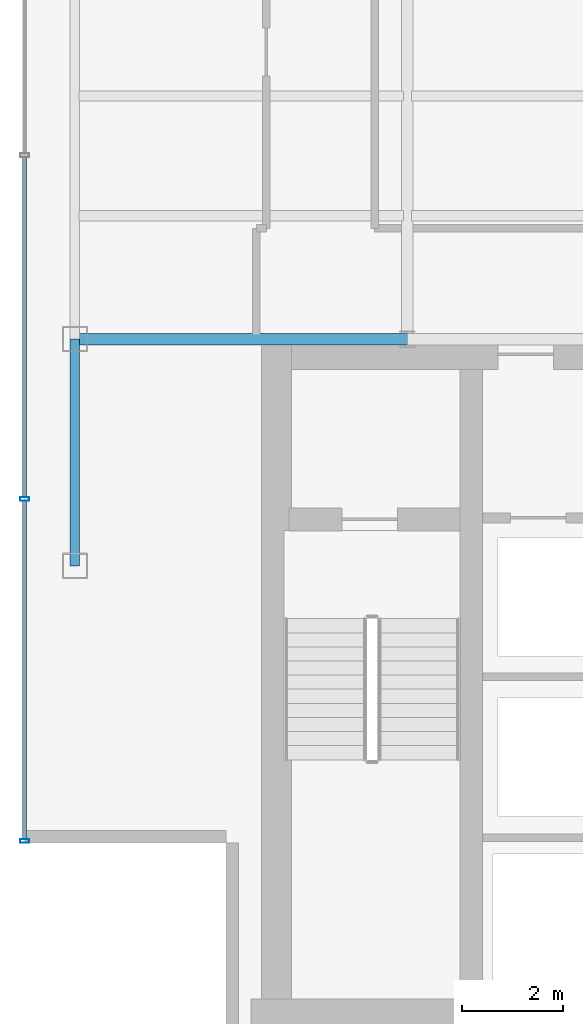
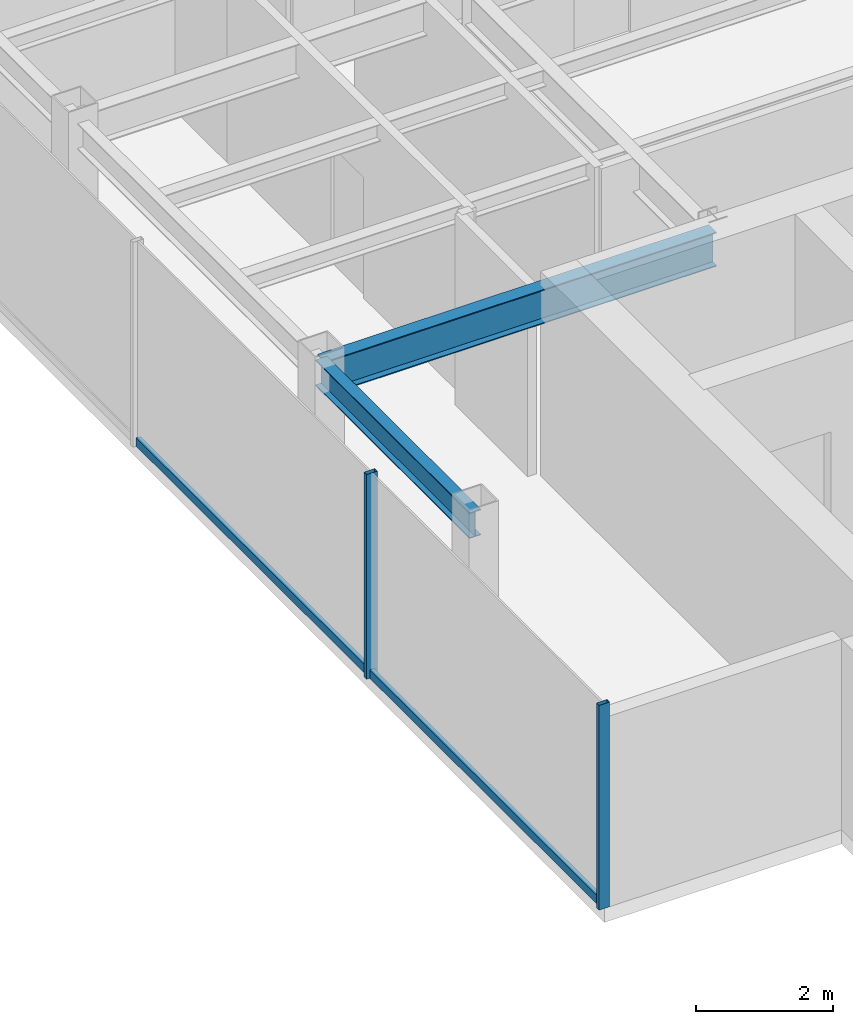
# One storey, part 3 of 22: 4 members, 2 beams, 1 element without a shape of its own.
"""IFC4 building model written with IfcOpenShell, lengths in metres."""

from ifc_helpers import new_model, si_unit, derived_unit, direction, frame, origin, origin_2d, place, context, subcontext, project, spatial, hollow_rectangle, i_section, extrude, source, transform, mapped, material, material_profile, profile_set, type_object, element, aggregate, save


model = new_model("IFC4")

# Units and contexts
model_context = context("Model", 3, precision=1e-05, world=origin(), true_north=direction((0.0, 1.0)))
body_context = subcontext(model_context, "Body", "Model", "MODEL_VIEW")
ifc_project = project(units=[si_unit("LENGTHUNIT", "METRE"), si_unit("AREAUNIT", "SQUARE_METRE"), si_unit("VOLUMEUNIT", "CUBIC_METRE"), si_unit("PLANEANGLEUNIT", "RADIAN"), si_unit("MASSUNIT", "GRAM", prefix="KILO"), derived_unit("THERMALTRANSMITTANCEUNIT", [(si_unit("POWERUNIT", "WATT"), 1), (si_unit("LENGTHUNIT", "METRE"), -2), (si_unit("THERMODYNAMICTEMPERATUREUNIT", "KELVIN"), -1)])], contexts=[model_context])

# Site, building, storey
site_placement = place(None, origin())
site = spatial("IfcSite", under=ifc_project, at=site_placement, CompositionType="ELEMENT")
building_placement = place(site_placement, origin())
building = spatial("IfcBuilding", under=site, at=building_placement, Name="Skarnbrae Concourse Arena and Tower", CompositionType="ELEMENT")
storey_placement = place(building_placement, frame((0.0, 0.0, 273.39990234375)))
storey = spatial("IfcBuildingStorey", under=building, at=storey_placement, Name="L71", CompositionType="ELEMENT", Elevation=273.39990234375)

# Beams
ifc_material_1 = material(Name="Steel CSA G40.21 350W", Category="steel")
ifc_material_profile_1 = material_profile(ifc_material_1, i_section(OverallWidth=0.22802734375, OverallDepth=0.60791015625, WebThickness=0.01123046875, FlangeThickness=0.017333984375, at=origin_2d()), Name="W610X113")
ifc_profile_set_1 = profile_set([ifc_material_profile_1], Name="Steel CSA G40.21 350W")
beam_type_1 = type_object("IfcBeamType", Name="BM-GIRD-W610X113", PredefinedType="BEAM", material=ifc_profile_set_1)
shared_shape_1 = source(origin(), body_context, "Body", "SweptSolid", [
    extrude(i_section(OverallWidth=0.22802734375, OverallDepth=0.60791015625, WebThickness=0.01123046875, FlangeThickness=0.017333984375, at=origin_2d()), origin(), (0.0, 0.0, 1.0), 6.60009765625),
])
beam_1_placement = place(storey_placement, frame((1.0, 14.0, 3.09619140625), z_axis=(1.0, 0.0, 0.0), x_axis=(0.0, 1.0, 0.0)))
element("IfcBeam", 1, at=beam_1_placement, inside=storey, type_object=beam_type_1, Name="L71 Primary E-W girder Y14.0-1", PredefinedType="BEAM", context=body_context, shape_type="MappedRepresentation", body=[
    mapped(shared_shape_1, transform((0.0, 0.0, 0.0))),
])
ifc_material_profile_2 = material_profile(ifc_material_1, i_section(OverallWidth=0.19091796875, OverallDepth=0.4599609375, WebThickness=0.010009765625, FlangeThickness=0.01611328125, at=origin_2d()), Name="W460X82")
ifc_profile_set_2 = profile_set([ifc_material_profile_2], Name="Steel CSA G40.21 350W")
beam_type_2 = type_object("IfcBeamType", Name="BM-SPAN-W460X82", PredefinedType="SPANDREL", material=ifc_profile_set_2)
shared_shape_2 = source(origin(), body_context, "Body", "SweptSolid", [
    extrude(i_section(OverallWidth=0.19091796875, OverallDepth=0.4599609375, WebThickness=0.010009765625, FlangeThickness=0.01611328125, at=origin_2d()), origin(), (0.0, 0.0, 1.0), 4.5),
])
beam_2_placement = place(storey_placement, frame((1.0, 9.5, 3.170166015625), z_axis=(0.0, 1.0, 0.0), x_axis=(-1.0, 0.0, 0.0)))
element("IfcBeam", 2, at=beam_2_placement, inside=storey, type_object=beam_type_2, Name="L71 Perimeter spandrel X1.0-1", PredefinedType="SPANDREL", context=body_context, shape_type="MappedRepresentation", body=[
    mapped(shared_shape_2, transform((0.0, 0.0, 0.0))),
])

# Curtain wall, members
ifc_material_2 = material(Name="Bronze anodised aluminium 6063-T6", Category="aluminium")
curtain_wall_type = type_object("IfcCurtainWallType", Name="CW-SYS-05-HIGHZONE", PredefinedType="USERDEFINED", material=ifc_material_2)
curtain_wall_placement = place(storey_placement, origin())
curtain_wall = element("IfcCurtainWall", 3, at=curtain_wall_placement, inside=storey, type_object=curtain_wall_type, Name="L71 Unitised curtain wall CW-L71-E18", ObjectType="UNITISED CURTAIN WALL", PredefinedType="USERDEFINED")
ifc_material_profile_3 = material_profile(ifc_material_2, hollow_rectangle(XDim=0.074951171875, YDim=0.14990234375, WallThickness=0.00390625, at=origin_2d()), Name="ALU-TRAN-75X150")
ifc_profile_set_3 = profile_set([ifc_material_profile_3], Name="Bronze anodised aluminium 6063-T6")
member_type_1 = type_object("IfcMemberType", Name="CWT-CW-05", PredefinedType="USERDEFINED", material=ifc_profile_set_3)
shared_shape_3 = source(origin(), body_context, "Body", "SweptSolid", [
    extrude(hollow_rectangle(XDim=0.074951171875, YDim=0.14990234375, WallThickness=0.00390625, at=origin_2d()), origin(), (0.0, 0.0, 1.0), 6.712646484375),
])
member_1_placement = place(storey_placement, frame((0.0, 10.78759765625, 0.0751953125), z_axis=(0.0, -1.0, 0.0), x_axis=(1.0, 0.0, 0.0)))
member_1 = element("IfcMember", 4, at=member_1_placement, type_object=member_type_1, Name="CW-L71-E18 Transom 4", ObjectType="TRANSOM", PredefinedType="USERDEFINED", context=body_context, shape_type="MappedRepresentation", body=[
    mapped(shared_shape_3, transform((0.0, 0.0, 0.0))),
])
shared_shape_4 = source(origin(), body_context, "Body", "SweptSolid", [
    extrude(hollow_rectangle(XDim=0.074951171875, YDim=0.14990234375, WallThickness=0.00390625, at=origin_2d()), origin(), (0.0, 0.0, 1.0), 6.75),
])
member_2_placement = place(storey_placement, frame((0.0, 17.612548828125, 0.0751953125), z_axis=(0.0, -1.0, 0.0), x_axis=(1.0, 0.0, 0.0)))
member_2 = element("IfcMember", 5, at=member_2_placement, type_object=member_type_1, Name="CW-L71-E18 Transom 3", ObjectType="TRANSOM", PredefinedType="USERDEFINED", context=body_context, shape_type="MappedRepresentation", body=[
    mapped(shared_shape_4, transform((0.0, 0.0, 0.0))),
])
ifc_material_profile_4 = material_profile(ifc_material_2, hollow_rectangle(XDim=0.074951171875, YDim=0.179931640625, WallThickness=0.00390625, at=origin_2d()), Name="ALU-MULL-75X180")
ifc_profile_set_4 = profile_set([ifc_material_profile_4], Name="Bronze anodised aluminium 6063-T6")
member_type_2 = type_object("IfcMemberType", Name="CWM-CW-05", PredefinedType="MULLION", material=ifc_profile_set_4)
shared_shape_5 = source(origin(), body_context, "Body", "SweptSolid", [
    extrude(hollow_rectangle(XDim=0.074951171875, YDim=0.179931640625, WallThickness=0.00390625, at=origin_2d()), origin(), (0.0, 0.0, 1.0), 3.650146484375),
])
member_3_placement = place(storey_placement, frame((0.0, 10.824951171875, 0.0), z_axis=(0.0, 0.0, 1.0), x_axis=(0.0, -1.0, 0.0)))
member_3 = element("IfcMember", 6, at=member_3_placement, type_object=member_type_2, Name="CW-L71-E18 Mullion 4", PredefinedType="MULLION", context=body_context, shape_type="MappedRepresentation", body=[
    mapped(shared_shape_5, transform((0.0, 0.0, 0.0))),
])
member_4_placement = place(storey_placement, frame((0.0, 4.03759765625, 0.0), z_axis=(0.0, 0.0, 1.0), x_axis=(0.0, -1.0, 0.0)))
member_4 = element("IfcMember", 7, at=member_4_placement, type_object=member_type_2, Name="CW-L71-E18 Mullion 5", PredefinedType="MULLION", context=body_context, shape_type="MappedRepresentation", body=[
    mapped(shared_shape_5, transform((0.0, 0.0, 0.0))),
])
aggregate(curtain_wall, [member_3, member_4, member_2, member_1])

save(model, "model.ifc")
